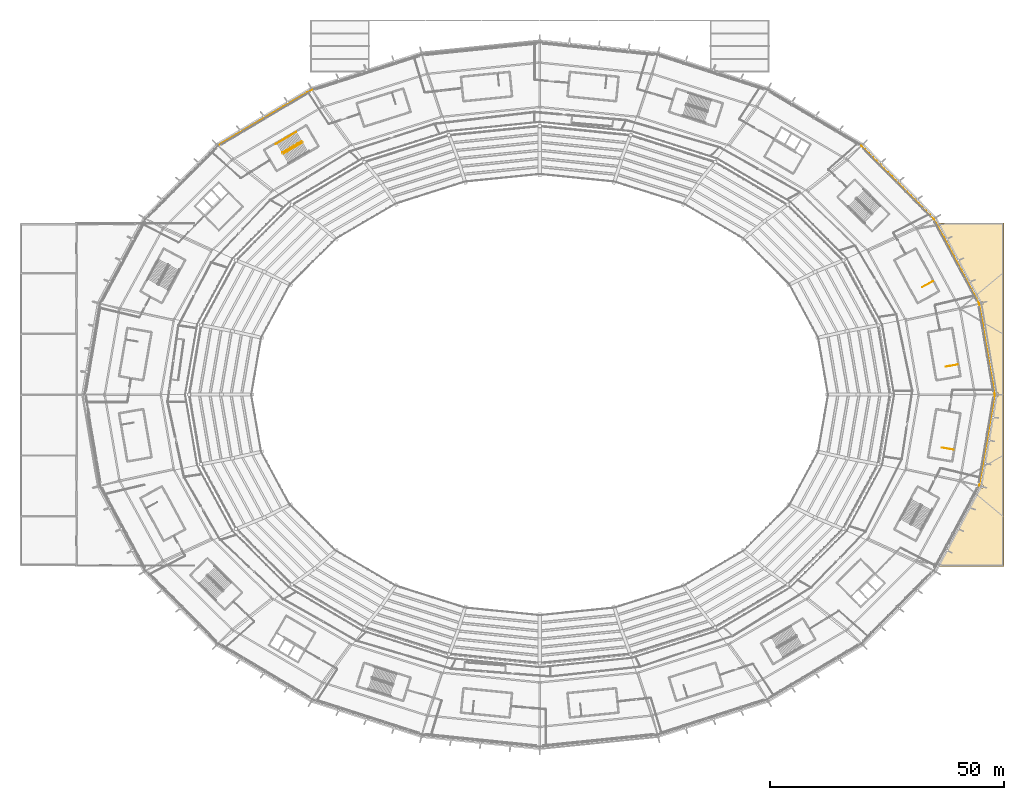
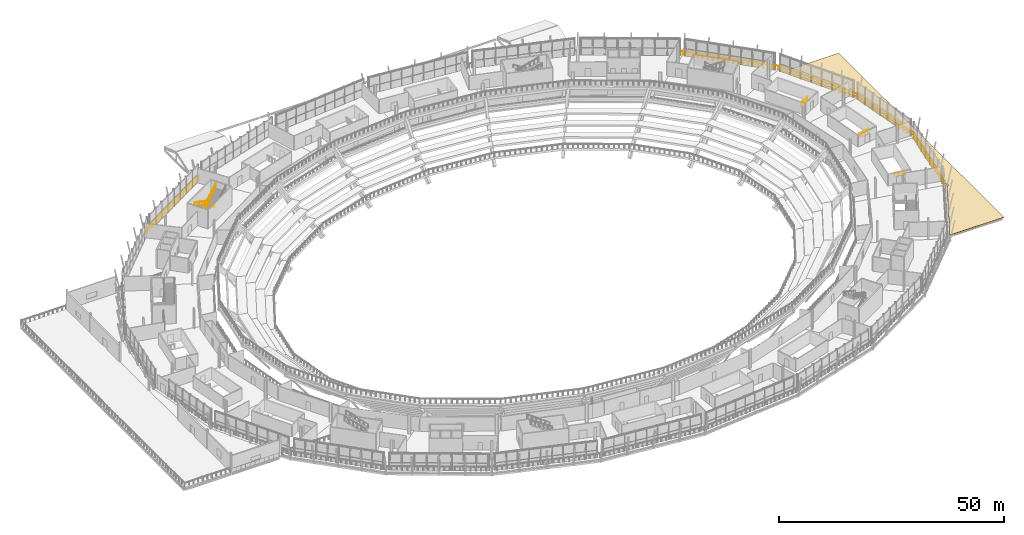
# One storey, part 122 of 126: 11 railings, 1 covering, 1 element without a shape of its own.
"""IFC4 building model written with IfcOpenShell, lengths in metres."""

from ifc_helpers import new_model, si_unit, direction, frame, origin, origin_2d, place, context, subcontext, project, spatial, polyline, rectangle, outline, extrude, material, layer, layer_set, type_object, element, aggregate, save


model = new_model("IFC4")

# Units and contexts
model_context = context("Model", 3, precision=1e-05, world=origin(), true_north=direction((0.0, 1.0)))
body_context = subcontext(model_context, "Body", "Model", "MODEL_VIEW")
ifc_project = project(units=[si_unit("LENGTHUNIT", "METRE"), si_unit("AREAUNIT", "SQUARE_METRE"), si_unit("VOLUMEUNIT", "CUBIC_METRE"), si_unit("PLANEANGLEUNIT", "RADIAN"), si_unit("MASSUNIT", "GRAM", prefix="KILO")], contexts=[model_context])

# Site, building, storey
site_placement = place(None, origin())
site = spatial("IfcSite", under=ifc_project, at=site_placement, CompositionType="ELEMENT")
building_placement = place(site_placement, origin())
building = spatial("IfcBuilding", under=site, at=building_placement, Name="Zlatoyarsky Gate Stadium", CompositionType="ELEMENT")
storey_placement = place(building_placement, frame((0.0, 0.0, 20.800048828125)))
storey = spatial("IfcBuildingStorey", under=building, at=storey_placement, Name="L04", CompositionType="ELEMENT", Elevation=20.800048828125)

# Railings
ifc_material_1 = material(Name="Powder-coated steel tubular guardrail", Category="steel")
railing_type_1 = type_object("IfcRailingType", Name="CONCOURSE SLAB EDGE GUARDRAIL 1200", PredefinedType="GUARDRAIL", material=ifc_material_1)
railing_1_placement = place(storey_placement, frame((208.26953125, 80.0, 0.0)))
element("IfcRailing", 1, at=railing_1_placement, inside=storey, type_object=railing_type_1, Name="L04 outer slab edge guardrail 00", PredefinedType="GUARDRAIL", context=body_context, shape_type="SweptSolid", body=[
    extrude(rectangle(XDim=0.048095703125, YDim=0.048095703125, at=origin_2d()), frame((0.0, 0.0, 1.17578125), z_axis=(-0.16772577451, 0.985833690115, 0.0), x_axis=(-0.985833690115, -0.16772577451, 0.0)), (0.0, 0.0, 1.0), 19.76123046875),
    extrude(rectangle(XDim=0.0419921875, YDim=0.0419921875, at=origin_2d()), origin(), (0.0, 0.0, 1.0), 1.15185546875),
    extrude(rectangle(XDim=0.0419921875, YDim=0.0419921875, at=origin_2d()), frame((-0.195068359375, 1.14599609375, 0.0)), (0.0, 0.0, 1.0), 1.15185546875),
    extrude(rectangle(XDim=0.0419921875, YDim=0.0419921875, at=origin_2d()), frame((-0.389892578125, 2.2919921875, 0.0)), (0.0, 0.0, 1.0), 1.15185546875),
    extrude(rectangle(XDim=0.0419921875, YDim=0.0419921875, at=origin_2d()), frame((-0.5849609375, 3.437744140625, 0.0)), (0.0, 0.0, 1.0), 1.15185546875),
    extrude(rectangle(XDim=0.0419921875, YDim=0.0419921875, at=origin_2d()), frame((-0.77978515625, 4.583740234375, 0.0)), (0.0, 0.0, 1.0), 1.15185546875),
    extrude(rectangle(XDim=0.0419921875, YDim=0.0419921875, at=origin_2d()), frame((-0.974853515625, 5.729736328125, 0.0)), (0.0, 0.0, 1.0), 1.15185546875),
    extrude(rectangle(XDim=0.0419921875, YDim=0.0419921875, at=origin_2d()), frame((-1.169921875, 6.875732421875, 0.0)), (0.0, 0.0, 1.0), 1.15185546875),
    extrude(rectangle(XDim=0.0419921875, YDim=0.0419921875, at=origin_2d()), frame((-1.36474609375, 8.021728515625, 0.0)), (0.0, 0.0, 1.0), 1.15185546875),
    extrude(rectangle(XDim=0.0419921875, YDim=0.0419921875, at=origin_2d()), frame((-1.559814453125, 9.167724609375, 0.0)), (0.0, 0.0, 1.0), 1.15185546875),
    extrude(rectangle(XDim=0.0419921875, YDim=0.0419921875, at=origin_2d()), frame((-1.754638671875, 10.3134765625, 0.0)), (0.0, 0.0, 1.0), 1.15185546875),
    extrude(rectangle(XDim=0.0419921875, YDim=0.0419921875, at=origin_2d()), frame((-1.94970703125, 11.45947265625, 0.0)), (0.0, 0.0, 1.0), 1.15185546875),
    extrude(rectangle(XDim=0.0419921875, YDim=0.0419921875, at=origin_2d()), frame((-2.14453125, 12.60546875, 0.0)), (0.0, 0.0, 1.0), 1.15185546875),
    extrude(rectangle(XDim=0.0419921875, YDim=0.0419921875, at=origin_2d()), frame((-2.339599609375, 13.75146484375, 0.0)), (0.0, 0.0, 1.0), 1.15185546875),
    extrude(rectangle(XDim=0.0419921875, YDim=0.0419921875, at=origin_2d()), frame((-2.53466796875, 14.8974609375, 0.0)), (0.0, 0.0, 1.0), 1.15185546875),
    extrude(rectangle(XDim=0.0419921875, YDim=0.0419921875, at=origin_2d()), frame((-2.7294921875, 16.04345703125, 0.0)), (0.0, 0.0, 1.0), 1.15185546875),
    extrude(rectangle(XDim=0.0419921875, YDim=0.0419921875, at=origin_2d()), frame((-2.924560546875, 17.189208984375, 0.0)), (0.0, 0.0, 1.0), 1.15185546875),
    extrude(rectangle(XDim=0.0419921875, YDim=0.0419921875, at=origin_2d()), frame((-3.119384765625, 18.335205078125, 0.0)), (0.0, 0.0, 1.0), 1.15185546875),
    extrude(rectangle(XDim=0.0419921875, YDim=0.0419921875, at=origin_2d()), frame((-3.314453125, 19.481201171875, 0.0)), (0.0, 0.0, 1.0), 1.15185546875),
])
railing_2_placement = place(storey_placement, frame((204.955078125, 99.481201171875, 0.0)))
element("IfcRailing", 2, at=railing_2_placement, inside=storey, type_object=railing_type_1, Name="L04 outer slab edge guardrail 01", PredefinedType="GUARDRAIL", context=body_context, shape_type="SweptSolid", body=[
    extrude(rectangle(XDim=0.048095703125, YDim=0.048095703125, at=origin_2d()), frame((0.0, 0.0, 1.17578125), z_axis=(-0.471925587959, 0.881638383596, 0.0), x_axis=(-0.881638383596, -0.471925587959, 0.0)), (0.0, 0.0, 1.0), 20.5908203125),
    extrude(rectangle(XDim=0.0419921875, YDim=0.0419921875, at=origin_2d()), origin(), (0.0, 0.0, 1.0), 1.15185546875),
    extrude(rectangle(XDim=0.0419921875, YDim=0.0419921875, at=origin_2d()), frame((-0.539794921875, 1.008544921875, 0.0)), (0.0, 0.0, 1.0), 1.15185546875),
    extrude(rectangle(XDim=0.0419921875, YDim=0.0419921875, at=origin_2d()), frame((-1.07958984375, 2.01708984375, 0.0)), (0.0, 0.0, 1.0), 1.15185546875),
    extrude(rectangle(XDim=0.0419921875, YDim=0.0419921875, at=origin_2d()), frame((-1.61962890625, 3.025634765625, 0.0)), (0.0, 0.0, 1.0), 1.15185546875),
    extrude(rectangle(XDim=0.0419921875, YDim=0.0419921875, at=origin_2d()), frame((-2.159423828125, 4.0341796875, 0.0)), (0.0, 0.0, 1.0), 1.15185546875),
    extrude(rectangle(XDim=0.0419921875, YDim=0.0419921875, at=origin_2d()), frame((-2.69921875, 5.042724609375, 0.0)), (0.0, 0.0, 1.0), 1.15185546875),
    extrude(rectangle(XDim=0.0419921875, YDim=0.0419921875, at=origin_2d()), frame((-3.239013671875, 6.05126953125, 0.0)), (0.0, 0.0, 1.0), 1.15185546875),
    extrude(rectangle(XDim=0.0419921875, YDim=0.0419921875, at=origin_2d()), frame((-3.779052734375, 7.059814453125, 0.0)), (0.0, 0.0, 1.0), 1.15185546875),
    extrude(rectangle(XDim=0.0419921875, YDim=0.0419921875, at=origin_2d()), frame((-4.31884765625, 8.068359375, 0.0)), (0.0, 0.0, 1.0), 1.15185546875),
    extrude(rectangle(XDim=0.0419921875, YDim=0.0419921875, at=origin_2d()), frame((-4.858642578125, 9.07666015625, 0.0)), (0.0, 0.0, 1.0), 1.15185546875),
    extrude(rectangle(XDim=0.0419921875, YDim=0.0419921875, at=origin_2d()), frame((-5.3984375, 10.085205078125, 0.0)), (0.0, 0.0, 1.0), 1.15185546875),
    extrude(rectangle(XDim=0.0419921875, YDim=0.0419921875, at=origin_2d()), frame((-5.938232421875, 11.09375, 0.0)), (0.0, 0.0, 1.0), 1.15185546875),
    extrude(rectangle(XDim=0.0419921875, YDim=0.0419921875, at=origin_2d()), frame((-6.478271484375, 12.102294921875, 0.0)), (0.0, 0.0, 1.0), 1.15185546875),
    extrude(rectangle(XDim=0.0419921875, YDim=0.0419921875, at=origin_2d()), frame((-7.01806640625, 13.11083984375, 0.0)), (0.0, 0.0, 1.0), 1.15185546875),
    extrude(rectangle(XDim=0.0419921875, YDim=0.0419921875, at=origin_2d()), frame((-7.557861328125, 14.119384765625, 0.0)), (0.0, 0.0, 1.0), 1.15185546875),
    extrude(rectangle(XDim=0.0419921875, YDim=0.0419921875, at=origin_2d()), frame((-8.09765625, 15.1279296875, 0.0)), (0.0, 0.0, 1.0), 1.15185546875),
    extrude(rectangle(XDim=0.0419921875, YDim=0.0419921875, at=origin_2d()), frame((-8.6376953125, 16.136474609375, 0.0)), (0.0, 0.0, 1.0), 1.15185546875),
    extrude(rectangle(XDim=0.0419921875, YDim=0.0419921875, at=origin_2d()), frame((-9.177490234375, 17.14501953125, 0.0)), (0.0, 0.0, 1.0), 1.15185546875),
    extrude(rectangle(XDim=0.0419921875, YDim=0.0419921875, at=origin_2d()), frame((-9.71728515625, 18.153564453125, 0.0)), (0.0, 0.0, 1.0), 1.15185546875),
])
railing_3_placement = place(storey_placement, frame((195.23779296875, 117.634765625, 0.0)))
element("IfcRailing", 3, at=railing_3_placement, inside=storey, type_object=railing_type_1, Name="L04 outer slab edge guardrail 02", PredefinedType="GUARDRAIL", context=body_context, shape_type="SweptSolid", body=[
    extrude(rectangle(XDim=0.048095703125, YDim=0.048095703125, at=origin_2d()), frame((0.0, 0.0, 1.17578125), z_axis=(-0.704114537309, 0.710086416114, 0.0), x_axis=(-0.710086416114, -0.704114537309, 0.0)), (0.0, 0.0, 1.0), 21.953369140625),
    extrude(rectangle(XDim=0.0419921875, YDim=0.0419921875, at=origin_2d()), origin(), (0.0, 0.0, 1.0), 1.15185546875),
    extrude(rectangle(XDim=0.0419921875, YDim=0.0419921875, at=origin_2d()), frame((-0.8134765625, 0.820556640625, 0.0)), (0.0, 0.0, 1.0), 1.15185546875),
    extrude(rectangle(XDim=0.0419921875, YDim=0.0419921875, at=origin_2d()), frame((-1.627197265625, 1.640869140625, 0.0)), (0.0, 0.0, 1.0), 1.15185546875),
    extrude(rectangle(XDim=0.0419921875, YDim=0.0419921875, at=origin_2d()), frame((-2.440673828125, 2.46142578125, 0.0)), (0.0, 0.0, 1.0), 1.15185546875),
    extrude(rectangle(XDim=0.0419921875, YDim=0.0419921875, at=origin_2d()), frame((-3.254150390625, 3.281982421875, 0.0)), (0.0, 0.0, 1.0), 1.15185546875),
    extrude(rectangle(XDim=0.0419921875, YDim=0.0419921875, at=origin_2d()), frame((-4.06787109375, 4.102294921875, 0.0)), (0.0, 0.0, 1.0), 1.15185546875),
    extrude(rectangle(XDim=0.0419921875, YDim=0.0419921875, at=origin_2d()), frame((-4.88134765625, 4.9228515625, 0.0)), (0.0, 0.0, 1.0), 1.15185546875),
    extrude(rectangle(XDim=0.0419921875, YDim=0.0419921875, at=origin_2d()), frame((-5.695068359375, 5.7431640625, 0.0)), (0.0, 0.0, 1.0), 1.15185546875),
    extrude(rectangle(XDim=0.0419921875, YDim=0.0419921875, at=origin_2d()), frame((-6.508544921875, 6.563720703125, 0.0)), (0.0, 0.0, 1.0), 1.15185546875),
    extrude(rectangle(XDim=0.0419921875, YDim=0.0419921875, at=origin_2d()), frame((-7.322021484375, 7.38427734375, 0.0)), (0.0, 0.0, 1.0), 1.15185546875),
    extrude(rectangle(XDim=0.0419921875, YDim=0.0419921875, at=origin_2d()), frame((-8.1357421875, 8.20458984375, 0.0)), (0.0, 0.0, 1.0), 1.15185546875),
    extrude(rectangle(XDim=0.0419921875, YDim=0.0419921875, at=origin_2d()), frame((-8.94921875, 9.025146484375, 0.0)), (0.0, 0.0, 1.0), 1.15185546875),
    extrude(rectangle(XDim=0.0419921875, YDim=0.0419921875, at=origin_2d()), frame((-9.7626953125, 9.845703125, 0.0)), (0.0, 0.0, 1.0), 1.15185546875),
    extrude(rectangle(XDim=0.0419921875, YDim=0.0419921875, at=origin_2d()), frame((-10.576416015625, 10.666015625, 0.0)), (0.0, 0.0, 1.0), 1.15185546875),
    extrude(rectangle(XDim=0.0419921875, YDim=0.0419921875, at=origin_2d()), frame((-11.389892578125, 11.486572265625, 0.0)), (0.0, 0.0, 1.0), 1.15185546875),
    extrude(rectangle(XDim=0.0419921875, YDim=0.0419921875, at=origin_2d()), frame((-12.20361328125, 12.306884765625, 0.0)), (0.0, 0.0, 1.0), 1.15185546875),
    extrude(rectangle(XDim=0.0419921875, YDim=0.0419921875, at=origin_2d()), frame((-13.01708984375, 13.12744140625, 0.0)), (0.0, 0.0, 1.0), 1.15185546875),
    extrude(rectangle(XDim=0.0419921875, YDim=0.0419921875, at=origin_2d()), frame((-13.83056640625, 13.947998046875, 0.0)), (0.0, 0.0, 1.0), 1.15185546875),
    extrude(rectangle(XDim=0.0419921875, YDim=0.0419921875, at=origin_2d()), frame((-14.644287109375, 14.768310546875, 0.0)), (0.0, 0.0, 1.0), 1.15185546875),
    extrude(rectangle(XDim=0.0419921875, YDim=0.0419921875, at=origin_2d()), frame((-15.457763671875, 15.5888671875, 0.0)), (0.0, 0.0, 1.0), 1.15185546875),
])
railing_4_placement = place(storey_placement, frame((62.365234375, 145.185302734375, 0.0)))
element("IfcRailing", 4, at=railing_4_placement, inside=storey, type_object=railing_type_1, Name="L04 outer slab edge guardrail 08", PredefinedType="GUARDRAIL", context=body_context, shape_type="SweptSolid", body=[
    extrude(rectangle(XDim=0.048095703125, YDim=0.048095703125, at=origin_2d()), frame((0.0, 0.0, 1.17578125), z_axis=(-0.859846881346, -0.510551996019, 0.0), x_axis=(0.510551996019, -0.859846881346, 0.0)), (0.0, 0.0, 1.0), 23.428955078125),
    extrude(rectangle(XDim=0.0419921875, YDim=0.0419921875, at=origin_2d()), origin(), (0.0, 0.0, 1.0), 1.15185546875),
    extrude(rectangle(XDim=0.0419921875, YDim=0.0419921875, at=origin_2d()), frame((-1.00732421875, -0.59814453125, 0.0)), (0.0, 0.0, 1.0), 1.15185546875),
    extrude(rectangle(XDim=0.0419921875, YDim=0.0419921875, at=origin_2d()), frame((-2.0146484375, -1.1962890625, 0.0)), (0.0, 0.0, 1.0), 1.15185546875),
    extrude(rectangle(XDim=0.0419921875, YDim=0.0419921875, at=origin_2d()), frame((-3.021728515625, -1.794189453125, 0.0)), (0.0, 0.0, 1.0), 1.15185546875),
    extrude(rectangle(XDim=0.0419921875, YDim=0.0419921875, at=origin_2d()), frame((-4.029052734375, -2.392333984375, 0.0)), (0.0, 0.0, 1.0), 1.15185546875),
    extrude(rectangle(XDim=0.0419921875, YDim=0.0419921875, at=origin_2d()), frame((-5.036376953125, -2.990478515625, 0.0)), (0.0, 0.0, 1.0), 1.15185546875),
    extrude(rectangle(XDim=0.0419921875, YDim=0.0419921875, at=origin_2d()), frame((-6.04345703125, -3.58837890625, 0.0)), (0.0, 0.0, 1.0), 1.15185546875),
    extrude(rectangle(XDim=0.0419921875, YDim=0.0419921875, at=origin_2d()), frame((-7.05078125, -4.1865234375, 0.0)), (0.0, 0.0, 1.0), 1.15185546875),
    extrude(rectangle(XDim=0.0419921875, YDim=0.0419921875, at=origin_2d()), frame((-8.05810546875, -4.78466796875, 0.0)), (0.0, 0.0, 1.0), 1.15185546875),
    extrude(rectangle(XDim=0.0419921875, YDim=0.0419921875, at=origin_2d()), frame((-9.0654296875, -5.3828125, 0.0)), (0.0, 0.0, 1.0), 1.15185546875),
    extrude(rectangle(XDim=0.0419921875, YDim=0.0419921875, at=origin_2d()), frame((-10.07275390625, -5.98095703125, 0.0)), (0.0, 0.0, 1.0), 1.15185546875),
    extrude(rectangle(XDim=0.0419921875, YDim=0.0419921875, at=origin_2d()), frame((-11.079833984375, -6.578857421875, 0.0)), (0.0, 0.0, 1.0), 1.15185546875),
    extrude(rectangle(XDim=0.0419921875, YDim=0.0419921875, at=origin_2d()), frame((-12.087158203125, -7.177001953125, 0.0)), (0.0, 0.0, 1.0), 1.15185546875),
    extrude(rectangle(XDim=0.0419921875, YDim=0.0419921875, at=origin_2d()), frame((-13.094482421875, -7.775146484375, 0.0)), (0.0, 0.0, 1.0), 1.15185546875),
    extrude(rectangle(XDim=0.0419921875, YDim=0.0419921875, at=origin_2d()), frame((-14.1015625, -8.373046875, 0.0)), (0.0, 0.0, 1.0), 1.15185546875),
    extrude(rectangle(XDim=0.0419921875, YDim=0.0419921875, at=origin_2d()), frame((-15.10888671875, -8.97119140625, 0.0)), (0.0, 0.0, 1.0), 1.15185546875),
    extrude(rectangle(XDim=0.0419921875, YDim=0.0419921875, at=origin_2d()), frame((-16.1162109375, -9.5693359375, 0.0)), (0.0, 0.0, 1.0), 1.15185546875),
    extrude(rectangle(XDim=0.0419921875, YDim=0.0419921875, at=origin_2d()), frame((-17.12353515625, -10.16748046875, 0.0)), (0.0, 0.0, 1.0), 1.15185546875),
    extrude(rectangle(XDim=0.0419921875, YDim=0.0419921875, at=origin_2d()), frame((-18.130859375, -10.765625, 0.0)), (0.0, 0.0, 1.0), 1.15185546875),
    extrude(rectangle(XDim=0.0419921875, YDim=0.0419921875, at=origin_2d()), frame((-19.137939453125, -11.363525390625, 0.0)), (0.0, 0.0, 1.0), 1.15185546875),
    extrude(rectangle(XDim=0.0419921875, YDim=0.0419921875, at=origin_2d()), frame((-20.145263671875, -11.961669921875, 0.0)), (0.0, 0.0, 1.0), 1.15185546875),
])
railing_5_placement = place(storey_placement, frame((204.955078125, 60.518798828125, 0.0)))
element("IfcRailing", 5, at=railing_5_placement, inside=storey, type_object=railing_type_1, Name="L04 outer slab edge guardrail 23", PredefinedType="GUARDRAIL", context=body_context, shape_type="SweptSolid", body=[
    extrude(rectangle(XDim=0.048095703125, YDim=0.048095703125, at=origin_2d()), frame((0.0, 0.0, 1.17578125), z_axis=(0.16772577451, 0.985833690115, 0.0), x_axis=(-0.985833690115, 0.16772577451, 0.0)), (0.0, 0.0, 1.0), 19.76123046875),
    extrude(rectangle(XDim=0.0419921875, YDim=0.0419921875, at=origin_2d()), origin(), (0.0, 0.0, 1.0), 1.15185546875),
    extrude(rectangle(XDim=0.0419921875, YDim=0.0419921875, at=origin_2d()), frame((0.195068359375, 1.14599609375, 0.0)), (0.0, 0.0, 1.0), 1.15185546875),
    extrude(rectangle(XDim=0.0419921875, YDim=0.0419921875, at=origin_2d()), frame((0.389892578125, 2.2919921875, 0.0)), (0.0, 0.0, 1.0), 1.15185546875),
    extrude(rectangle(XDim=0.0419921875, YDim=0.0419921875, at=origin_2d()), frame((0.5849609375, 3.437744140625, 0.0)), (0.0, 0.0, 1.0), 1.15185546875),
    extrude(rectangle(XDim=0.0419921875, YDim=0.0419921875, at=origin_2d()), frame((0.77978515625, 4.583740234375, 0.0)), (0.0, 0.0, 1.0), 1.15185546875),
    extrude(rectangle(XDim=0.0419921875, YDim=0.0419921875, at=origin_2d()), frame((0.974853515625, 5.729736328125, 0.0)), (0.0, 0.0, 1.0), 1.15185546875),
    extrude(rectangle(XDim=0.0419921875, YDim=0.0419921875, at=origin_2d()), frame((1.169921875, 6.875732421875, 0.0)), (0.0, 0.0, 1.0), 1.15185546875),
    extrude(rectangle(XDim=0.0419921875, YDim=0.0419921875, at=origin_2d()), frame((1.36474609375, 8.021728515625, 0.0)), (0.0, 0.0, 1.0), 1.15185546875),
    extrude(rectangle(XDim=0.0419921875, YDim=0.0419921875, at=origin_2d()), frame((1.559814453125, 9.167724609375, 0.0)), (0.0, 0.0, 1.0), 1.15185546875),
    extrude(rectangle(XDim=0.0419921875, YDim=0.0419921875, at=origin_2d()), frame((1.754638671875, 10.3134765625, 0.0)), (0.0, 0.0, 1.0), 1.15185546875),
    extrude(rectangle(XDim=0.0419921875, YDim=0.0419921875, at=origin_2d()), frame((1.94970703125, 11.45947265625, 0.0)), (0.0, 0.0, 1.0), 1.15185546875),
    extrude(rectangle(XDim=0.0419921875, YDim=0.0419921875, at=origin_2d()), frame((2.14453125, 12.60546875, 0.0)), (0.0, 0.0, 1.0), 1.15185546875),
    extrude(rectangle(XDim=0.0419921875, YDim=0.0419921875, at=origin_2d()), frame((2.339599609375, 13.75146484375, 0.0)), (0.0, 0.0, 1.0), 1.15185546875),
    extrude(rectangle(XDim=0.0419921875, YDim=0.0419921875, at=origin_2d()), frame((2.53466796875, 14.8974609375, 0.0)), (0.0, 0.0, 1.0), 1.15185546875),
    extrude(rectangle(XDim=0.0419921875, YDim=0.0419921875, at=origin_2d()), frame((2.7294921875, 16.04345703125, 0.0)), (0.0, 0.0, 1.0), 1.15185546875),
    extrude(rectangle(XDim=0.0419921875, YDim=0.0419921875, at=origin_2d()), frame((2.924560546875, 17.189208984375, 0.0)), (0.0, 0.0, 1.0), 1.15185546875),
    extrude(rectangle(XDim=0.0419921875, YDim=0.0419921875, at=origin_2d()), frame((3.119384765625, 18.335205078125, 0.0)), (0.0, 0.0, 1.0), 1.15185546875),
    extrude(rectangle(XDim=0.0419921875, YDim=0.0419921875, at=origin_2d()), frame((3.314453125, 19.481201171875, 0.0)), (0.0, 0.0, 1.0), 1.15185546875),
])
ifc_material_2 = material(Name="Powder-coated steel stair guardrail", Category="steel")
railing_type_2 = type_object("IfcRailingType", Name="PAINTED STEEL STAIR WELL GUARDRAIL 1150", PredefinedType="GUARDRAIL", material=ifc_material_2)
railing_6_placement = place(storey_placement, frame((200.3837890625, 86.435791015625, 0.0)))
element("IfcRailing", 6, at=railing_6_placement, inside=storey, type_object=railing_type_2, Name="ST-01 L04 top well guard 1", PredefinedType="GUARDRAIL", context=body_context, shape_type="SweptSolid", body=[
    extrude(rectangle(XDim=0.048095703125, YDim=0.048095703125, at=origin_2d()), frame((0.0, 0.0, 1.1259765625), z_axis=(-0.985464995056, -0.169878614071, 0.0), x_axis=(0.169878614071, -0.985464995056, 0.0)), (0.0, 0.0, 1.0), 2.599853515625),
    extrude(rectangle(XDim=0.0419921875, YDim=0.0419921875, at=origin_2d()), origin(), (0.0, 0.0, 1.0), 1.101806640625),
    extrude(rectangle(XDim=0.0419921875, YDim=0.0419921875, at=origin_2d()), frame((-0.85400390625, -0.147216796875, 0.0)), (0.0, 0.0, 1.0), 1.101806640625),
    extrude(rectangle(XDim=0.0419921875, YDim=0.0419921875, at=origin_2d()), frame((-1.7080078125, -0.29443359375, 0.0)), (0.0, 0.0, 1.0), 1.101806640625),
    extrude(rectangle(XDim=0.0419921875, YDim=0.0419921875, at=origin_2d()), frame((-2.56201171875, -0.441650390625, 0.0)), (0.0, 0.0, 1.0), 1.101806640625),
])
railing_7_placement = place(storey_placement, frame((60.1220703125, 134.1767578125, 0.15869140625)))
element("IfcRailing", 7, at=railing_7_placement, inside=storey, type_object=railing_type_2, Name="ST-05 L04 stair guard 1", PredefinedType="GUARDRAIL", context=body_context, shape_type="SweptSolid", body=[
    extrude(rectangle(XDim=0.048095703125, YDim=0.048095703125, at=origin_2d()), frame((0.0, 0.0, 1.1259765625), z_axis=(-0.762561047884, -0.446730234253, 0.467902496311), x_axis=(0.505476687537, -0.862840262364, 0.0)), (0.0, 0.0, 1.0), 5.43115234375),
    extrude(rectangle(XDim=0.0419921875, YDim=0.0419921875, at=origin_2d()), origin(), (0.0, 0.0, 1.0), 1.101806640625),
    extrude(rectangle(XDim=0.0419921875, YDim=0.0419921875, at=origin_2d()), frame((-0.828369140625, -0.4853515625, 0.50830078125)), (0.0, 0.0, 1.0), 1.101806640625),
    extrude(rectangle(XDim=0.0419921875, YDim=0.0419921875, at=origin_2d()), frame((-1.65673828125, -0.970458984375, 1.0166015625)), (0.0, 0.0, 1.0), 1.101806640625),
    extrude(rectangle(XDim=0.0419921875, YDim=0.0419921875, at=origin_2d()), frame((-2.48486328125, -1.455810546875, 1.524658203125)), (0.0, 0.0, 1.0), 1.101806640625),
    extrude(rectangle(XDim=0.0419921875, YDim=0.0419921875, at=origin_2d()), frame((-3.313232421875, -1.94091796875, 2.032958984375)), (0.0, 0.0, 1.0), 1.101806640625),
    extrude(rectangle(XDim=0.0419921875, YDim=0.0419921875, at=origin_2d()), frame((-4.1416015625, -2.42626953125, 2.541259765625)), (0.0, 0.0, 1.0), 1.101806640625),
])
railing_8_placement = place(storey_placement, frame((56.132080078125, 131.49169921875, 2.85888671875)))
element("IfcRailing", 8, at=railing_8_placement, inside=storey, type_object=railing_type_2, Name="ST-05 L04 stair guard 3", PredefinedType="GUARDRAIL", context=body_context, shape_type="SweptSolid", body=[
    extrude(rectangle(XDim=0.048095703125, YDim=0.048095703125, at=origin_2d()), frame((0.0, 0.0, 1.1259765625), z_axis=(0.762577086584, 0.446739630186, 0.467867384884), x_axis=(-0.505476687537, 0.862840262364, 0.0)), (0.0, 0.0, 1.0), 5.43115234375),
    extrude(rectangle(XDim=0.0419921875, YDim=0.0419921875, at=origin_2d()), origin(), (0.0, 0.0, 1.0), 1.101806640625),
    extrude(rectangle(XDim=0.0419921875, YDim=0.0419921875, at=origin_2d()), frame((0.828369140625, 0.4853515625, 0.50830078125)), (0.0, 0.0, 1.0), 1.101806640625),
    extrude(rectangle(XDim=0.0419921875, YDim=0.0419921875, at=origin_2d()), frame((1.65673828125, 0.970458984375, 1.016357421875)), (0.0, 0.0, 1.0), 1.101806640625),
    extrude(rectangle(XDim=0.0419921875, YDim=0.0419921875, at=origin_2d()), frame((2.48486328125, 1.455810546875, 1.524658203125)), (0.0, 0.0, 1.0), 1.101806640625),
    extrude(rectangle(XDim=0.0419921875, YDim=0.0419921875, at=origin_2d()), frame((3.313232421875, 1.94091796875, 2.03271484375)), (0.0, 0.0, 1.0), 1.101806640625),
    extrude(rectangle(XDim=0.0419921875, YDim=0.0419921875, at=origin_2d()), frame((4.1416015625, 2.42626953125, 2.541015625)), (0.0, 0.0, 1.0), 1.101806640625),
])
railing_9_placement = place(storey_placement, frame((195.05419921875, 104.243408203125, 0.0)))
element("IfcRailing", 9, at=railing_9_placement, inside=storey, type_object=railing_type_2, Name="ST-13 L04 top well guard 1", PredefinedType="GUARDRAIL", context=body_context, shape_type="SweptSolid", body=[
    extrude(rectangle(XDim=0.048095703125, YDim=0.048095703125, at=origin_2d()), frame((0.0, 0.0, 1.1259765625), z_axis=(-0.878937789073, -0.476936434904, 0.0), x_axis=(0.476936434904, -0.878937789073, 0.0)), (0.0, 0.0, 1.0), 2.599853515625),
    extrude(rectangle(XDim=0.0419921875, YDim=0.0419921875, at=origin_2d()), origin(), (0.0, 0.0, 1.0), 1.101806640625),
    extrude(rectangle(XDim=0.0419921875, YDim=0.0419921875, at=origin_2d()), frame((-0.76171875, -0.413330078125, 0.0)), (0.0, 0.0, 1.0), 1.101806640625),
    extrude(rectangle(XDim=0.0419921875, YDim=0.0419921875, at=origin_2d()), frame((-1.5234375, -0.82666015625, 0.0)), (0.0, 0.0, 1.0), 1.101806640625),
    extrude(rectangle(XDim=0.0419921875, YDim=0.0419921875, at=origin_2d()), frame((-2.28515625, -1.239990234375, 0.0)), (0.0, 0.0, 1.0), 1.101806640625),
])
railing_10_placement = place(storey_placement, frame((199.46630859375, 68.24267578125, 0.0)))
element("IfcRailing", 10, at=railing_10_placement, inside=storey, type_object=railing_type_2, Name="ST-20 L04 top well guard 1", PredefinedType="GUARDRAIL", context=body_context, shape_type="SweptSolid", body=[
    extrude(rectangle(XDim=0.048095703125, YDim=0.048095703125, at=origin_2d()), frame((0.0, 0.0, 1.1259765625), z_axis=(-0.985451982634, 0.169954081807, 0.0), x_axis=(-0.169954081807, -0.985451982634, 0.0)), (0.0, 0.0, 1.0), 2.60009765625),
    extrude(rectangle(XDim=0.0419921875, YDim=0.0419921875, at=origin_2d()), origin(), (0.0, 0.0, 1.0), 1.101806640625),
    extrude(rectangle(XDim=0.0419921875, YDim=0.0419921875, at=origin_2d()), frame((-0.85400390625, 0.147216796875, 0.0)), (0.0, 0.0, 1.0), 1.101806640625),
    extrude(rectangle(XDim=0.0419921875, YDim=0.0419921875, at=origin_2d()), frame((-1.708251953125, 0.294677734375, 0.0)), (0.0, 0.0, 1.0), 1.101806640625),
    extrude(rectangle(XDim=0.0419921875, YDim=0.0419921875, at=origin_2d()), frame((-2.562255859375, 0.44189453125, 0.0)), (0.0, 0.0, 1.0), 1.101806640625),
])
ifc_material_3 = material(Name="Brushed stainless steel 316 handrail", Category="steel")
railing_type_3 = type_object("IfcRailingType", Name="STAINLESS STEEL TUBULAR HANDRAIL 900", PredefinedType="HANDRAIL", material=ifc_material_3)
railing_11_placement = place(storey_placement, frame((58.959716796875, 136.161376953125, 0.162841796875)))
element("IfcRailing", 11, at=railing_11_placement, inside=storey, type_object=railing_type_3, Name="ST-05 L04 stair handrail 1", PredefinedType="HANDRAIL", context=body_context, shape_type="SweptSolid", body=[
    extrude(rectangle(XDim=0.048095703125, YDim=0.048095703125, at=origin_2d()), frame((0.0, 0.0, 0.8759765625), z_axis=(-0.762584619125, -0.446720166066, 0.467873692255), x_axis=(0.505456573929, -0.862852045181, 0.0)), (0.0, 0.0, 1.0), 5.770751953125),
    extrude(rectangle(XDim=0.0419921875, YDim=0.0419921875, at=origin_2d()), origin(), (0.0, 0.0, 1.0), 0.851806640625),
    extrude(rectangle(XDim=0.0419921875, YDim=0.0419921875, at=origin_2d()), frame((-0.880126953125, -0.515625, 0.5400390625)), (0.0, 0.0, 1.0), 0.851806640625),
    extrude(rectangle(XDim=0.0419921875, YDim=0.0419921875, at=origin_2d()), frame((-1.76025390625, -1.03125, 1.080078125)), (0.0, 0.0, 1.0), 0.851806640625),
    extrude(rectangle(XDim=0.0419921875, YDim=0.0419921875, at=origin_2d()), frame((-2.640380859375, -1.546630859375, 1.619873046875)), (0.0, 0.0, 1.0), 0.851806640625),
    extrude(rectangle(XDim=0.0419921875, YDim=0.0419921875, at=origin_2d()), frame((-3.5205078125, -2.062255859375, 2.159912109375)), (0.0, 0.0, 1.0), 0.851806640625),
    extrude(rectangle(XDim=0.0419921875, YDim=0.0419921875, at=origin_2d()), frame((-4.400634765625, -2.577880859375, 2.699951171875)), (0.0, 0.0, 1.0), 0.851806640625),
])

# Roof, covering
ifc_material_4 = material(Name="Standing-seam aluminium-zinc roofing with mineral wool insulation", Category="aluminium")
ifc_layer_1 = layer(ifc_material_4, 0.080078125)
ifc_layer_set_1 = layer_set([ifc_layer_1], Name="Standing-seam aluminium-zinc roofing with mineral wool insulation")
roof_type = type_object("IfcRoofType", Name="WINTER GARDEN PAVILION ROOF ASSEMBLY", PredefinedType="PAVILION_ROOF", material=ifc_layer_set_1)
roof_placement = place(storey_placement, origin())
roof = element("IfcRoof", 12, at=roof_placement, inside=storey, type_object=roof_type, Name="V5_EAST wing pavilion roof assembly", PredefinedType="PAVILION_ROOF")
ifc_layer_2 = layer(ifc_material_4, 0.06005859375)
ifc_layer_set_2 = layer_set([ifc_layer_2], Name="Standing-seam aluminium-zinc roofing with mineral wool insulation")
covering_type = type_object("IfcCoveringType", Name="STANDING SEAM ALUMINIUM ZINC ROOFING 60", PredefinedType="ROOFING", material=ifc_layer_set_2)
covering_placement = place(storey_placement, frame((0.0, 0.0, -0.1201171875)))
covering = element("IfcCovering", 13, at=covering_placement, type_object=covering_type, Name="V5_EAST standing seam wing roofing 1", PredefinedType="ROOFING", context=body_context, shape_type="SweptSolid", body=[
    extrude(outline(polyline([(210.239990234375, 116.739990234375), (210.239990234375, 43.260009765625), (196.328125, 43.260009765625), (205.3125, 60.0693359375), (205.75830078125, 60.0693359375), (205.75830078125, 60.70947265625), (205.533203125, 60.70947265625), (208.755859375, 79.679931640625), (209.089599609375, 79.679931640625), (209.089599609375, 80.320068359375), (208.755859375, 80.320068359375), (205.533203125, 99.29052734375), (205.75830078125, 99.29052734375), (205.75830078125, 99.9306640625), (205.3125, 99.9306640625), (196.328125, 116.739990234375), (210.239990234375, 116.739990234375)])), origin(), (0.0, 0.0, 1.0), 0.06005859375),
])
aggregate(roof, [covering])

save(model, "model.ifc")
